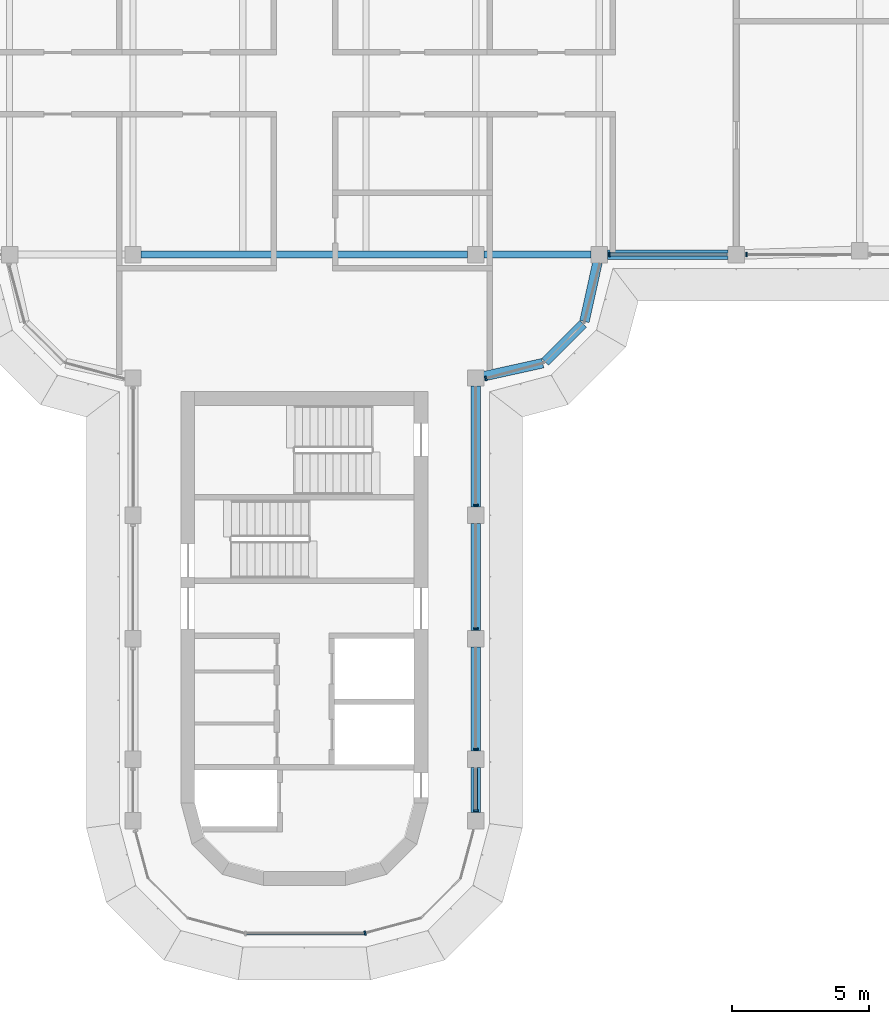
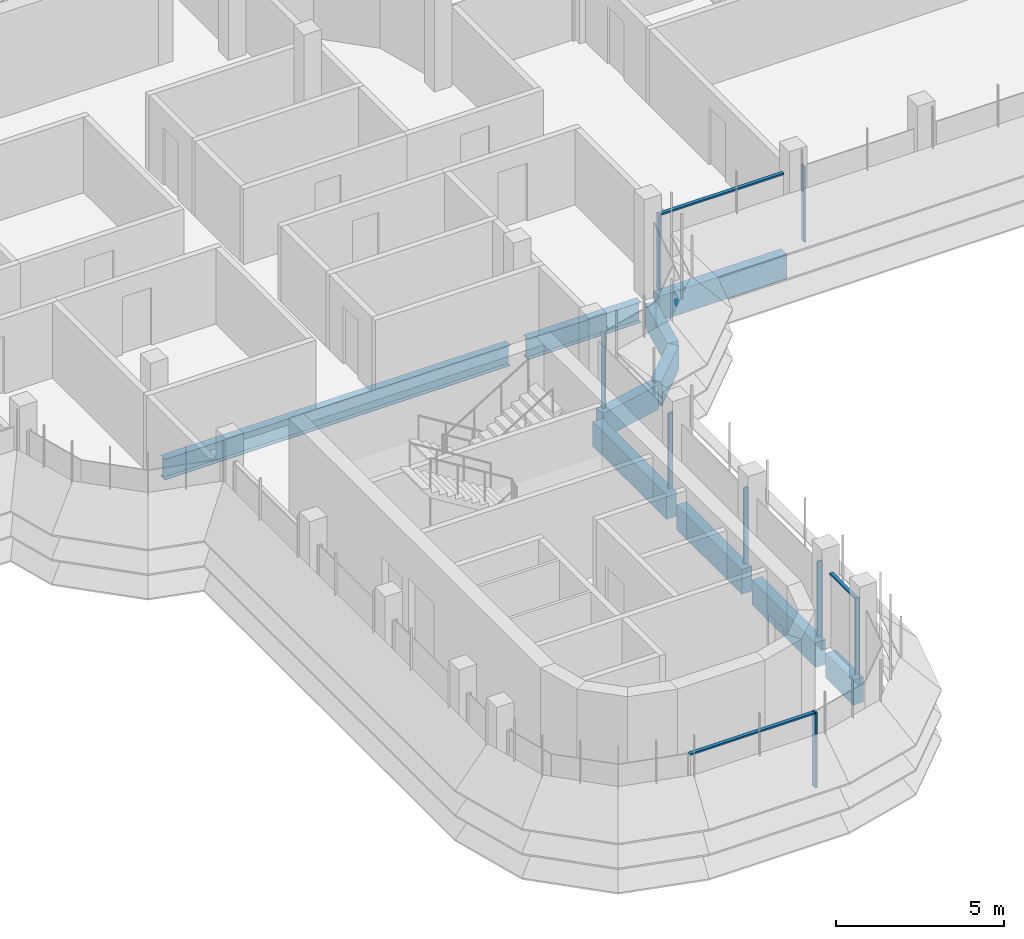
# One storey, part 4 of 19: 11 members, 10 beams, 5 elements without a shape of their own.
"""IFC4 building model written with IfcOpenShell, lengths in metres."""

from ifc_helpers import new_model, si_unit, direction, frame, origin, origin_2d, place, context, subcontext, project, spatial, polyline, rectangle, i_section, outline, extrude, source, transform, mapped, material, material_profile, profile_set, type_object, element, aggregate, save


model = new_model("IFC4")

# Units and contexts
model_context = context("Model", 3, precision=1e-05, world=origin(), true_north=direction((0.0, 1.0)))
body_context = subcontext(model_context, "Body", "Model", "MODEL_VIEW")
ifc_project = project(units=[si_unit("LENGTHUNIT", "METRE"), si_unit("AREAUNIT", "SQUARE_METRE"), si_unit("VOLUMEUNIT", "CUBIC_METRE"), si_unit("PLANEANGLEUNIT", "RADIAN"), si_unit("MASSUNIT", "GRAM", prefix="KILO")], contexts=[model_context])

# Site, building, storey
site_placement = place(None, origin())
site = spatial("IfcSite", under=ifc_project, at=site_placement, CompositionType="ELEMENT")
building_placement = place(site_placement, origin())
building = spatial("IfcBuilding", under=site, at=building_placement, Name="Zarbagh Exchange Tower", CompositionType="ELEMENT")
storey_placement = place(building_placement, frame((0.0, 0.0, 265.0)))
storey = spatial("IfcBuildingStorey", under=building, at=storey_placement, Name="L65", CompositionType="ELEMENT", Elevation=265.0)

# Beams
ifc_material_1 = material(Name="Steel ASTM A992 Gr 50", Category="steel")
ifc_material_profile_1 = material_profile(ifc_material_1, i_section(OverallWidth=0.2666015625, OverallDepth=0.7568359375, WebThickness=0.013916015625, FlangeThickness=0.019287109375, at=origin_2d()), Name="W30X108")
ifc_profile_set_1 = profile_set([ifc_material_profile_1], Name="Steel ASTM A992 Gr 50")
beam_type_1 = type_object("IfcBeamType", Name="Floor girder W30X108", PredefinedType="BEAM", material=ifc_profile_set_1)
beam_1_placement = place(storey_placement, frame((-5.949951171875, -6.25, -0.5283203125), z_axis=(1.0, 0.0, 0.0), x_axis=(0.0, 1.0, 0.0)))
element("IfcBeam", 1, at=beam_1_placement, inside=storey, type_object=beam_type_1, Name="Steel girder", PredefinedType="BEAM", context=body_context, shape_type="SweptSolid", body=[
    extrude(i_section(OverallWidth=0.2666015625, OverallDepth=0.7568359375, WebThickness=0.013916015625, FlangeThickness=0.019287109375, at=origin_2d()), origin(), (0.0, 0.0, 1.0), 11.89990234375),
])
beam_2_placement = place(storey_placement, frame((6.550048828125, -6.25, -0.5283203125), z_axis=(1.0, 0.0, 0.0), x_axis=(0.0, 1.0, 0.0)))
element("IfcBeam", 2, at=beam_2_placement, inside=storey, type_object=beam_type_1, Name="Steel girder", PredefinedType="BEAM", context=body_context, shape_type="SweptSolid", body=[
    extrude(i_section(OverallWidth=0.2666015625, OverallDepth=0.7568359375, WebThickness=0.013916015625, FlangeThickness=0.019287109375, at=origin_2d()), origin(), (0.0, 0.0, 1.0), 3.89990234375),
])
ifc_material_2 = material(Name="Concrete C40/50", Category="concrete")
ifc_material_profile_2 = material_profile(ifc_material_2, rectangle(XDim=0.35009765625, YDim=0.89990234375, at=origin_2d()), Name="RC spandrel beam 350 x 900 C40/50")
ifc_profile_set_2 = profile_set([ifc_material_profile_2], Name="Concrete C40/50")
beam_type_2 = type_object("IfcBeamType", Name="RC spandrel beam 350 x 900 C40/50", PredefinedType="SPANDREL", material=ifc_profile_set_2)
beam_3_placement = place(storey_placement, frame((15.449951171875, -6.25, -0.60009765625), z_axis=(-1.0, 0.0, 0.0), x_axis=(0.0, -1.0, 0.0)))
element("IfcBeam", 3, at=beam_3_placement, inside=storey, type_object=beam_type_2, Name="RC spandrel beam", PredefinedType="SPANDREL", context=body_context, shape_type="SweptSolid", body=[
    extrude(rectangle(XDim=0.35009765625, YDim=0.89990234375, at=origin_2d()), origin(), (0.0, 0.0, 1.0), 4.39990234375),
])
beam_4_placement = place(storey_placement, frame((10.685302734375, -6.54296875, -0.60009765625), z_axis=(-0.216025770228, -0.976387662047, 0.0), x_axis=(0.976387662047, -0.216025770228, 0.0)))
element("IfcBeam", 4, at=beam_4_placement, inside=storey, type_object=beam_type_2, Name="RC spandrel beam", PredefinedType="SPANDREL", context=body_context, shape_type="SweptSolid", body=[
    extrude(rectangle(XDim=0.35009765625, YDim=0.89990234375, at=origin_2d()), origin(), (0.0, 0.0, 1.0), 2.200439453125),
])
beam_5_placement = place(storey_placement, frame((10.16259765625, -8.77734375, -0.60009765625), z_axis=(-0.707106781187, -0.707106781187, 0.0), x_axis=(0.707106781187, -0.707106781187, 0.0)))
element("IfcBeam", 5, at=beam_5_placement, inside=storey, type_object=beam_type_2, Name="RC spandrel beam", PredefinedType="SPANDREL", context=body_context, shape_type="SweptSolid", body=[
    extrude(rectangle(XDim=0.35009765625, YDim=0.89990234375, at=origin_2d()), origin(), (0.0, 0.0, 1.0), 1.958984375),
])
beam_6_placement = place(storey_placement, frame((8.69140625, -10.2099609375, -0.60009765625), z_axis=(-0.976387662047, -0.216025770228, 0.0), x_axis=(0.216025770228, -0.976387662047, 0.0)))
element("IfcBeam", 6, at=beam_6_placement, inside=storey, type_object=beam_type_2, Name="RC spandrel beam", PredefinedType="SPANDREL", context=body_context, shape_type="SweptSolid", body=[
    extrude(rectangle(XDim=0.35009765625, YDim=0.89990234375, at=origin_2d()), origin(), (0.0, 0.0, 1.0), 2.200439453125),
])
beam_7_placement = place(storey_placement, frame((6.25, -11.050048828125, -0.60009765625), z_axis=(0.0, -1.0, 0.0), x_axis=(1.0, 0.0, 0.0)))
element("IfcBeam", 7, at=beam_7_placement, inside=storey, type_object=beam_type_2, Name="RC spandrel beam", PredefinedType="SPANDREL", context=body_context, shape_type="SweptSolid", body=[
    extrude(rectangle(XDim=0.35009765625, YDim=0.89990234375, at=origin_2d()), origin(), (0.0, 0.0, 1.0), 4.39990234375),
])
beam_8_placement = place(storey_placement, frame((6.25, -16.050048828125, -0.60009765625), z_axis=(0.0, -1.0, 0.0), x_axis=(1.0, 0.0, 0.0)))
element("IfcBeam", 8, at=beam_8_placement, inside=storey, type_object=beam_type_2, Name="RC spandrel beam", PredefinedType="SPANDREL", context=body_context, shape_type="SweptSolid", body=[
    extrude(rectangle(XDim=0.35009765625, YDim=0.89990234375, at=origin_2d()), origin(), (0.0, 0.0, 1.0), 3.89990234375),
])
beam_9_placement = place(storey_placement, frame((6.25, -20.550048828125, -0.60009765625), z_axis=(0.0, -1.0, 0.0), x_axis=(1.0, 0.0, 0.0)))
element("IfcBeam", 9, at=beam_9_placement, inside=storey, type_object=beam_type_2, Name="RC spandrel beam", PredefinedType="SPANDREL", context=body_context, shape_type="SweptSolid", body=[
    extrude(rectangle(XDim=0.35009765625, YDim=0.89990234375, at=origin_2d()), origin(), (0.0, 0.0, 1.0), 3.800048828125),
])
beam_10_placement = place(storey_placement, frame((6.25, -24.949951171875, -0.60009765625), z_axis=(0.0, -1.0, 0.0), x_axis=(1.0, 0.0, 0.0)))
element("IfcBeam", 10, at=beam_10_placement, inside=storey, type_object=beam_type_2, Name="RC spandrel beam", PredefinedType="SPANDREL", context=body_context, shape_type="SweptSolid", body=[
    extrude(rectangle(XDim=0.35009765625, YDim=0.89990234375, at=origin_2d()), origin(), (0.0, 0.0, 1.0), 1.650146484375),
])

# Curtain wall, member
ifc_material_3 = material(Name="Anodised aluminium frame and glazing", Category="aluminium")
curtain_wall_type = type_object("IfcCurtainWallType", Name="CWB Ribbon glazing, upper zones", PredefinedType="NOTDEFINED", material=ifc_material_3)
curtain_wall_1_placement = place(storey_placement, origin())
curtain_wall_1 = element("IfcCurtainWall", 11, at=curtain_wall_1_placement, inside=storey, type_object=curtain_wall_type, Name="CWB49 curtain wall", PredefinedType="NOTDEFINED")
ifc_material_4 = material(Name="Anodised aluminium frame", Category="aluminium")
member_type_1 = type_object("IfcMemberType", Name="MUB Mullion, anodised aluminium frame", PredefinedType="MULLION", material=ifc_material_4)
shared_shape_1 = source(origin(), body_context, "Body", "SweptSolid", [
    extrude(outline(polyline([(0.0, -0.080078125), (0.06005859375, -0.080078125), (0.06005859375, 0.080078125), (0.0, 0.080078125), (0.0, -0.080078125)])), origin(), (0.0, 0.0, 1.0), 2.75),
])
placement = place(storey_placement, origin())
member_1 = element("IfcMember", 12, at=placement, type_object=member_type_1, Name="CWB49 mullion 1.1", PredefinedType="MULLION", context=body_context, shape_type="MappedRepresentation", body=[
    mapped(shared_shape_1, transform((2.18408203125, -31.0, 0.0), x_axis=(0.965924289636, 0.258824779902, 0.0), y_axis=(-0.258824779902, 0.965924289636, 0.0), z_axis=(0.0, 0.0, 1.0))),
])
aggregate(curtain_wall_1, [member_1])

# Curtain wall, members
curtain_wall_2_placement = place(storey_placement, origin())
curtain_wall_2 = element("IfcCurtainWall", 13, at=curtain_wall_2_placement, inside=storey, type_object=curtain_wall_type, Name="CWB52 curtain wall", PredefinedType="NOTDEFINED")
member_2 = element("IfcMember", 14, at=placement, type_object=member_type_1, Name="CWB52 mullion 1.1", PredefinedType="MULLION", context=body_context, shape_type="MappedRepresentation", body=[
    mapped(shared_shape_1, transform((6.25, -26.56005859375, 0.0), x_axis=(0.0, 1.0, 0.0), y_axis=(-1.0, 0.0, 0.0), z_axis=(0.0, 0.0, 1.0))),
])
member_3 = element("IfcMember", 15, at=placement, type_object=member_type_1, Name="CWB52 mullion 2.1", PredefinedType="MULLION", context=body_context, shape_type="MappedRepresentation", body=[
    mapped(shared_shape_1, transform((6.25, -24.31005859375, 0.0), x_axis=(0.0, 1.0, 0.0), y_axis=(-1.0, 0.0, 0.0), z_axis=(0.0, 0.0, 1.0))),
])
member_4 = element("IfcMember", 16, at=placement, type_object=member_type_1, Name="CWB52 mullion 3.1", PredefinedType="MULLION", context=body_context, shape_type="MappedRepresentation", body=[
    mapped(shared_shape_1, transform((6.25, -19.909912109375, 0.0), x_axis=(0.0, 1.0, 0.0), y_axis=(-1.0, 0.0, 0.0), z_axis=(0.0, 0.0, 1.0))),
])
member_5 = element("IfcMember", 17, at=placement, type_object=member_type_1, Name="CWB52 mullion 4.1", PredefinedType="MULLION", context=body_context, shape_type="MappedRepresentation", body=[
    mapped(shared_shape_1, transform((6.25, -15.409912109375, 0.0), x_axis=(0.0, 1.0, 0.0), y_axis=(-1.0, 0.0, 0.0), z_axis=(0.0, 0.0, 1.0))),
])

# Curtain wall, member
curtain_wall_3_placement = place(storey_placement, origin())
curtain_wall_3 = element("IfcCurtainWall", 18, at=curtain_wall_3_placement, inside=storey, type_object=curtain_wall_type, Name="CWB05 curtain wall", PredefinedType="NOTDEFINED")
member_6 = element("IfcMember", 19, at=placement, type_object=member_type_1, Name="CWB05 mullion 1.1", PredefinedType="MULLION", context=body_context, shape_type="MappedRepresentation", body=[
    mapped(shared_shape_1, transform((6.590087890625, -10.775146484375, 0.0), x_axis=(0.965924289636, 0.258824779902, 0.0), y_axis=(-0.258824779902, 0.965924289636, 0.0), z_axis=(0.0, 0.0, 1.0))),
])
aggregate(curtain_wall_3, [member_6])

# Curtain wall, members
curtain_wall_4_placement = place(storey_placement, origin())
curtain_wall_4 = element("IfcCurtainWall", 20, at=curtain_wall_4_placement, inside=storey, type_object=curtain_wall_type, Name="CWB75 curtain wall", PredefinedType="NOTDEFINED")
member_7 = element("IfcMember", 21, at=placement, type_object=member_type_1, Name="CWB75 mullion 1.1", PredefinedType="MULLION", context=body_context, shape_type="MappedRepresentation", body=[
    mapped(shared_shape_1, transform((11.090087890625, -6.25, 0.0), x_axis=(1.0, 0.0, 0.0), y_axis=(0.0, 1.0, 0.0), z_axis=(0.0, 0.0, 1.0))),
])
member_8 = element("IfcMember", 22, at=placement, type_object=member_type_1, Name="CWB75 mullion 2.1", PredefinedType="MULLION", context=body_context, shape_type="MappedRepresentation", body=[
    mapped(shared_shape_1, transform((16.090087890625, -6.25, 0.0), x_axis=(1.0, 0.0, 0.0), y_axis=(0.0, 1.0, 0.0), z_axis=(0.0, 0.0, 1.0))),
])

# Curtain wall, member
curtain_wall_5_placement = place(storey_placement, origin())
curtain_wall_5 = element("IfcCurtainWall", 23, at=curtain_wall_5_placement, inside=storey, type_object=curtain_wall_type, Name="CWB57 curtain wall", PredefinedType="NOTDEFINED")
member_type_2 = type_object("IfcMemberType", Name="TRB Transom, anodised aluminium frame", PredefinedType="USERDEFINED", material=ifc_material_4)
shared_shape_2 = source(origin(), body_context, "Body", "SweptSolid", [
    extrude(outline(polyline([(-0.06005859375, -0.06005859375), (0.0, -0.06005859375), (0.0, 0.06005859375), (-0.06005859375, 0.06005859375), (-0.06005859375, -0.06005859375)])), origin(), (0.0, 0.0, 1.0), 4.308349609375),
])
member_9 = element("IfcMember", 24, at=placement, type_object=member_type_2, Name="CWB57 transom 1.1", ObjectType="TRANSOM", PredefinedType="USERDEFINED", context=body_context, shape_type="MappedRepresentation", body=[
    mapped(shared_shape_2, transform((-2.124267578125, -31.0, 2.75), x_axis=(0.0, 0.0, 1.0), y_axis=(0.0, -1.0, 0.0), z_axis=(1.0, 0.0, 0.0))),
])
aggregate(curtain_wall_5, [member_9])

# Member
shared_shape_3 = source(origin(), body_context, "Body", "SweptSolid", [
    extrude(outline(polyline([(-0.06005859375, -0.06005859375), (0.0, -0.06005859375), (0.0, 0.06005859375), (-0.06005859375, 0.06005859375), (-0.06005859375, -0.06005859375)])), origin(), (0.0, 0.0, 1.0), 1.510009765625),
])
member_10 = element("IfcMember", 25, at=placement, type_object=member_type_2, Name="CWB52 transom 1.1", ObjectType="TRANSOM", PredefinedType="USERDEFINED", context=body_context, shape_type="MappedRepresentation", body=[
    mapped(shared_shape_3, transform((6.25, -26.5, 2.75), x_axis=(0.0, 0.0, 1.0), y_axis=(1.0, 0.0, 0.0), z_axis=(0.0, 1.0, 0.0))),
])

aggregate(curtain_wall_2, [member_2, member_10, member_3, member_4, member_5])

shared_shape_4 = source(origin(), body_context, "Body", "SweptSolid", [
    extrude(outline(polyline([(-0.06005859375, -0.06005859375), (0.0, -0.06005859375), (0.0, 0.06005859375), (-0.06005859375, 0.06005859375), (-0.06005859375, -0.06005859375)])), origin(), (0.0, 0.0, 1.0), 4.260009765625),
])
member_11 = element("IfcMember", 26, at=placement, type_object=member_type_2, Name="CWB75 transom 1.1", ObjectType="TRANSOM", PredefinedType="USERDEFINED", context=body_context, shape_type="MappedRepresentation", body=[
    mapped(shared_shape_4, transform((11.150146484375, -6.25, 2.75), x_axis=(0.0, 0.0, 1.0), y_axis=(0.0, -1.0, 0.0), z_axis=(1.0, 0.0, 0.0))),
])

aggregate(curtain_wall_4, [member_7, member_11, member_8])

save(model, "model.ifc")
